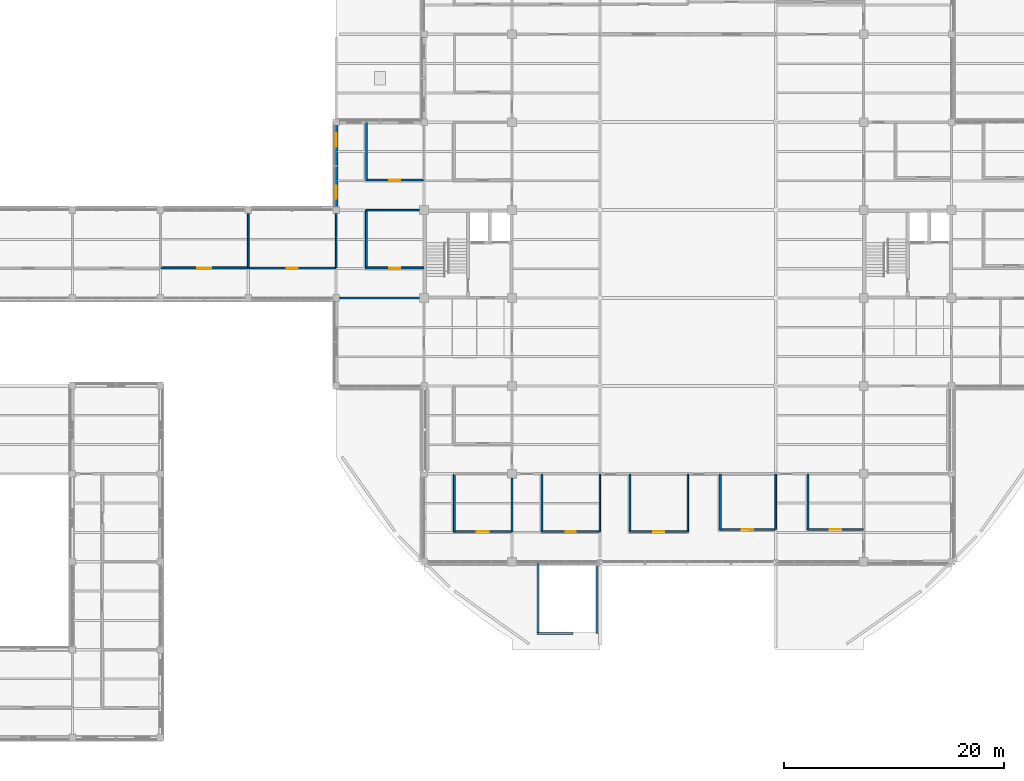
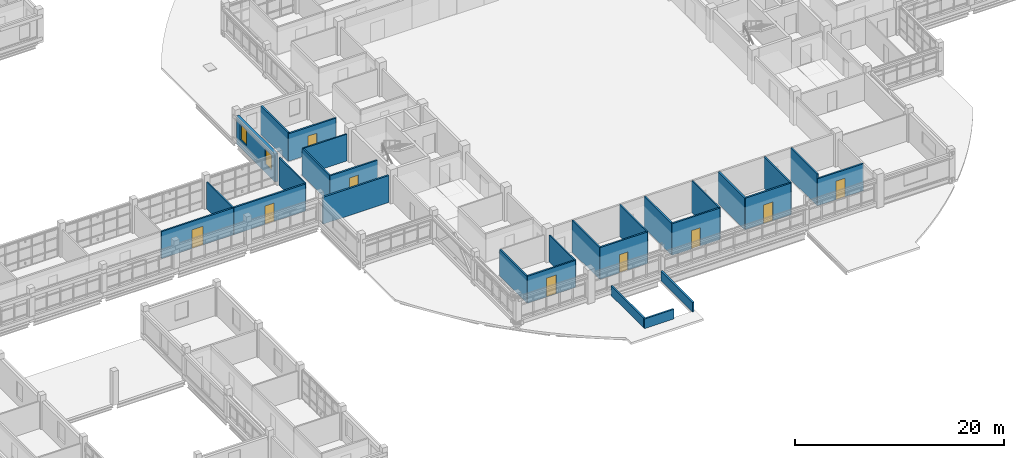
# One storey, part 90 of 126: 28 walls, 9 doors, 2 windows, 11 openings.
"""IFC4 building model written with IfcOpenShell, lengths in metres."""

from ifc_helpers import new_model, si_unit, derived_unit, direction, frame, frame_2d, origin, place, context, subcontext, project, spatial, rectangle, extrude, material, layer, layer_set, type_object, element, fill, save


model = new_model("IFC4")

# Units and contexts
model_context = context("Model", 3, precision=1e-05, world=origin(), true_north=direction((0.0, 1.0)))
body_context = subcontext(model_context, "Body", "Model", "MODEL_VIEW")
ifc_project = project(units=[si_unit("LENGTHUNIT", "METRE"), si_unit("AREAUNIT", "SQUARE_METRE"), si_unit("VOLUMEUNIT", "CUBIC_METRE"), si_unit("PLANEANGLEUNIT", "RADIAN"), si_unit("MASSUNIT", "GRAM", prefix="KILO"), derived_unit("THERMALTRANSMITTANCEUNIT", [(si_unit("MASSUNIT", "GRAM", prefix="KILO"), 1), (si_unit("TIMEUNIT", "SECOND"), -3), (si_unit("THERMODYNAMICTEMPERATUREUNIT", "KELVIN"), -1)])], contexts=[model_context])

# Site, building, storey
site_placement = place(None, origin())
site = spatial("IfcSite", under=ifc_project, at=site_placement, CompositionType="ELEMENT")
building_placement = place(site_placement, origin())
building = spatial("IfcBuilding", under=site, at=building_placement, Name="Veyamyaing Civic Hall", CompositionType="ELEMENT")
storey_placement = place(building_placement, frame((0.0, 0.0, 9.89990234375)))
storey = spatial("IfcBuildingStorey", under=building, at=storey_placement, Name="L02", CompositionType="ELEMENT", Elevation=9.89990234375)

# Wall, openings, windows
ifc_material_1 = material(Name="Precast concrete C40/50", Category="concrete")
ifc_layer_1 = layer(ifc_material_1, 0.304931640625, Name="Precast concrete C40/50")
ifc_layer_set_1 = layer_set([ifc_layer_1], Name="Precast concrete C40/50")
wall_type_1 = type_object("IfcWallType", Name="WT-03", PredefinedType="SOLIDWALL", material=ifc_layer_set_1)
wall_1_placement = place(storey_placement, frame((56.0, 56.284912109375, 0.0), z_axis=(0.0, 0.0, 1.0), x_axis=(0.0, 1.0, 0.0)))
wall_1 = element("IfcWall", 1, at=wall_1_placement, inside=storey, type_object=wall_type_1, Name="Exterior facade wall WT-03 L02 W 8.8", PredefinedType="SOLIDWALL", context=body_context, shape_type="SweptSolid", body=[
    extrude(rectangle(XDim=7.43017578125, YDim=0.304931640625, at=frame_2d((3.715087890625, 0.0))), origin(), (0.0, 0.0, 1.0), 3.280029296875),
])
opening_1_placement = place(wall_1_placement, frame((0.7373046875, 0.0, 0.949951171875)))
opening_1 = element("IfcOpeningElement", 2, at=opening_1_placement, cuts=wall_1, Name="Opening W-14", PredefinedType="OPENING", context=body_context, shape_type="SweptSolid", body=[
    extrude(rectangle(XDim=1.199951171875, YDim=1.800048828125, at=frame_2d((0.60009765625, 0.89990234375))), frame((0.0, 0.162353515625, 0.0), z_axis=(0.0, -1.0, 0.0), x_axis=(1.0, 0.0, 0.0)), (0.0, 0.0, 1.0), 0.324951171875),
])
opening_2_placement = place(wall_1_placement, frame((5.49267578125, 0.0, 0.949951171875)))
opening_2 = element("IfcOpeningElement", 3, at=opening_2_placement, cuts=wall_1, Name="Opening W-14", PredefinedType="OPENING", context=body_context, shape_type="SweptSolid", body=[
    extrude(rectangle(XDim=1.199951171875, YDim=1.800048828125, at=frame_2d((0.60009765625, 0.89990234375))), frame((0.0, 0.162353515625, 0.0), z_axis=(0.0, -1.0, 0.0), x_axis=(1.0, 0.0, 0.0)), (0.0, 0.0, 1.0), 0.324951171875),
])
ifc_material_2 = material(Name="Low-E insulated glass", Category="glass")
window_type = type_object("IfcWindowType", Name="W-14", PartitioningType="SINGLE_PANEL", PredefinedType="WINDOW", material=ifc_material_2)
window_1_placement = place(opening_1_placement, origin())
window_1 = element("IfcWindow", 4, at=window_1_placement, inside=storey, type_object=window_type, Name="Facade window W-14 L02 W 8.8.1", OverallHeight=1.800048828125, OverallWidth=1.199951171875, PartitioningType="SINGLE_PANEL", PredefinedType="WINDOW", context=body_context, shape_type="SweptSolid", body=[
    extrude(rectangle(XDim=1.199951171875, YDim=1.800048828125, at=frame_2d((0.60009765625, 0.89990234375))), frame((0.0, 0.030029296875, 0.0), z_axis=(0.0, -1.0, 0.0), x_axis=(1.0, 0.0, 0.0)), (0.0, 0.0, 1.0), 0.06005859375),
])
fill(opening_1, window_1)
window_2_placement = place(opening_2_placement, origin())
window_2 = element("IfcWindow", 5, at=window_2_placement, inside=storey, type_object=window_type, Name="Facade window W-14 L02 W 8.8.2", OverallHeight=1.800048828125, OverallWidth=1.199951171875, PartitioningType="SINGLE_PANEL", PredefinedType="WINDOW", context=body_context, shape_type="SweptSolid", body=[
    extrude(rectangle(XDim=1.199951171875, YDim=1.800048828125, at=frame_2d((0.60009765625, 0.89990234375))), frame((0.0, 0.030029296875, 0.0), z_axis=(0.0, -1.0, 0.0), x_axis=(1.0, 0.0, 0.0)), (0.0, 0.0, 1.0), 0.06005859375),
])
fill(opening_2, window_2)

# Wall
ifc_material_3 = material(Name="Concrete C40/50", Category="concrete")
ifc_layer_2 = layer(ifc_material_3, 0.199951171875, Name="Concrete C40/50")
ifc_layer_set_2 = layer_set([ifc_layer_2], Name="Concrete C40/50")
wall_type_2 = type_object("IfcWallType", Name="WT-06", PredefinedType="PARTITIONING", material=ifc_layer_set_2)
wall_2_placement = place(storey_placement, frame((56.2900390625, 48.0, 0.0), z_axis=(0.0, 0.0, 1.0), x_axis=(1.0, 0.0, 0.0)))
element("IfcWall", 6, at=wall_2_placement, inside=storey, type_object=wall_type_2, Name="Interior partition wall WT-06 L02.21", PredefinedType="PARTITIONING", context=body_context, shape_type="SweptSolid", body=[
    extrude(rectangle(XDim=7.320068359375, YDim=0.199951171875, at=frame_2d((3.66015625, 0.0))), origin(), (0.0, 0.0, 1.0), 3.156982421875),
])

# Wall, opening, door
ifc_material_4 = material(Name="Gypsum board on acoustic steel stud", Category="steel")
ifc_layer_3 = layer(ifc_material_4, 0.175048828125, Name="Gypsum board on acoustic steel stud")
ifc_layer_set_3 = layer_set([ifc_layer_3], Name="Gypsum board on acoustic steel stud")
wall_type_3 = type_object("IfcWallType", Name="WT-07", PredefinedType="PARTITIONING", material=ifc_layer_set_3)
wall_3_placement = place(storey_placement, frame((40.02001953125, 50.75, 0.0), z_axis=(0.0, 0.0, 1.0), x_axis=(1.0, 0.0, 0.0)))
wall_3 = element("IfcWall", 7, at=wall_3_placement, inside=storey, type_object=wall_type_3, Name="Corridor gallery partition WT-07 L02.25.1", PredefinedType="PARTITIONING", context=body_context, shape_type="SweptSolid", body=[
    extrude(rectangle(XDim=7.9599609375, YDim=0.175048828125, at=frame_2d((3.97998046875, 0.0))), origin(), (0.0, 0.0, 1.0), 3.156982421875),
])
opening_3_placement = place(wall_3_placement, frame((3.35498046875, 0.0, 0.0)))
opening_3 = element("IfcOpeningElement", 8, at=opening_3_placement, cuts=wall_3, Name="Opening D-29", PredefinedType="OPENING", context=body_context, shape_type="SweptSolid", body=[
    extrude(rectangle(XDim=1.25, YDim=2.179931640625, at=frame_2d((0.625, 1.08984375))), frame((0.0, 0.097412109375, 0.0), z_axis=(0.0, -1.0, 0.0), x_axis=(1.0, 0.0, 0.0)), (0.0, 0.0, 1.0), 0.195068359375),
])
ifc_material_5 = material(Name="Teak-veneered acoustic timber", Category="wood")
door_type_1 = type_object("IfcDoorType", Name="D-29", OperationType="NOTDEFINED", PredefinedType="DOOR", material=ifc_material_5)
door_1_placement = place(opening_3_placement, origin())
door_1 = element("IfcDoor", 9, at=door_1_placement, inside=storey, type_object=door_type_1, Name="Gallery office door D-29 L02.25", OperationType="SINGLE_SWING_LEFT", OverallHeight=2.179931640625, OverallWidth=1.25, PredefinedType="DOOR", context=body_context, shape_type="SweptSolid", body=[
    extrude(rectangle(XDim=1.25, YDim=2.179931640625, at=frame_2d((0.625, 1.08984375))), frame((0.0, 0.02490234375, 0.0), z_axis=(0.0, -1.0, 0.0), x_axis=(1.0, 0.0, 0.0)), (0.0, 0.0, 1.0), 0.050048828125),
])
fill(opening_3, door_1)

wall_4_placement = place(storey_placement, frame((58.699951171875, 50.75, 0.0), z_axis=(0.0, 0.0, 1.0), x_axis=(1.0, 0.0, 0.0)))
wall_4 = element("IfcWall", 10, at=wall_4_placement, inside=storey, type_object=wall_type_3, Name="Corridor gallery partition WT-07 L02.29.1", PredefinedType="PARTITIONING", context=body_context, shape_type="SweptSolid", body=[
    extrude(rectangle(XDim=5.280029296875, YDim=0.175048828125, at=frame_2d((2.64013671875, 0.0))), origin(), (0.0, 0.0, 1.0), 3.151123046875),
])
opening_4_placement = place(wall_4_placement, frame((2.14990234375, 0.0, 0.0)))
opening_4 = element("IfcOpeningElement", 11, at=opening_4_placement, cuts=wall_4, Name="Opening D-14", PredefinedType="OPENING", context=body_context, shape_type="SweptSolid", body=[
    extrude(rectangle(XDim=0.97998046875, YDim=2.14990234375, at=frame_2d((0.489990234375, 1.074951171875))), frame((0.0, 0.097412109375, 0.0), z_axis=(0.0, -1.0, 0.0), x_axis=(1.0, 0.0, 0.0)), (0.0, 0.0, 1.0), 0.195068359375),
])
door_type_2 = type_object("IfcDoorType", Name="D-14", OperationType="NOTDEFINED", PredefinedType="DOOR", material=ifc_material_5)
door_2_placement = place(opening_4_placement, origin())
door_2 = element("IfcDoor", 12, at=door_2_placement, inside=storey, type_object=door_type_2, Name="Gallery office door D-14 L02.29", OperationType="SINGLE_SWING_LEFT", OverallHeight=2.14990234375, OverallWidth=0.97998046875, PredefinedType="DOOR", context=body_context, shape_type="SweptSolid", body=[
    extrude(rectangle(XDim=0.97998046875, YDim=2.14990234375, at=frame_2d((0.489990234375, 1.074951171875))), frame((0.0, 0.02490234375, 0.0), z_axis=(0.0, -1.0, 0.0), x_axis=(1.0, 0.0, 0.0)), (0.0, 0.0, 1.0), 0.050048828125),
])
fill(opening_4, door_2)

# Wall
wall_5_placement = place(storey_placement, frame((58.75, 50.699951171875, 0.0), z_axis=(0.0, 0.0, 1.0), x_axis=(0.0, 1.0, 0.0)))
element("IfcWall", 13, at=wall_5_placement, inside=storey, type_object=wall_type_3, Name="Corridor gallery partition WT-07 L02.29.2", PredefinedType="PARTITIONING", context=body_context, shape_type="SweptSolid", body=[
    extrude(rectangle(XDim=5.280029296875, YDim=0.175048828125, at=frame_2d((2.64013671875, 0.0))), origin(), (0.0, 0.0, 1.0), 3.14111328125),
])

# Wall, opening, door
wall_6_placement = place(storey_placement, frame((66.699951171875, 26.75, 0.0), z_axis=(0.0, 0.0, 1.0), x_axis=(1.0, 0.0, 0.0)))
wall_6 = element("IfcWall", 14, at=wall_6_placement, inside=storey, type_object=wall_type_3, Name="Corridor gallery partition WT-07 L02.31.1", PredefinedType="PARTITIONING", context=body_context, shape_type="SweptSolid", body=[
    extrude(rectangle(XDim=5.280029296875, YDim=0.175048828125, at=frame_2d((2.64013671875, 0.0))), origin(), (0.0, 0.0, 1.0), 3.156982421875),
])
opening_5_placement = place(wall_6_placement, frame((2.10009765625, 0.0, 0.0)))
opening_5 = element("IfcOpeningElement", 15, at=opening_5_placement, cuts=wall_6, Name="Opening D-23", PredefinedType="OPENING", context=body_context, shape_type="SweptSolid", body=[
    extrude(rectangle(XDim=1.080078125, YDim=2.199951171875, at=frame_2d((0.5400390625, 1.10009765625))), frame((0.0, 0.097412109375, 0.0), z_axis=(0.0, -1.0, 0.0), x_axis=(1.0, 0.0, 0.0)), (0.0, 0.0, 1.0), 0.195068359375),
])
door_type_3 = type_object("IfcDoorType", Name="D-23", OperationType="NOTDEFINED", PredefinedType="DOOR", material=ifc_material_5)
door_3_placement = place(opening_5_placement, origin())
door_3 = element("IfcDoor", 16, at=door_3_placement, inside=storey, type_object=door_type_3, Name="Gallery office door D-23 L02.31", OperationType="SINGLE_SWING_LEFT", OverallHeight=2.199951171875, OverallWidth=1.080078125, PredefinedType="DOOR", context=body_context, shape_type="SweptSolid", body=[
    extrude(rectangle(XDim=1.080078125, YDim=2.199951171875, at=frame_2d((0.5400390625, 1.10009765625))), frame((0.0, 0.02490234375, 0.0), z_axis=(0.0, -1.0, 0.0), x_axis=(1.0, 0.0, 0.0)), (0.0, 0.0, 1.0), 0.050048828125),
])
fill(opening_5, door_3)

# Walls
wall_7_placement = place(storey_placement, frame((66.75, 26.699951171875, 0.0), z_axis=(0.0, 0.0, 1.0), x_axis=(0.0, 1.0, 0.0)))
element("IfcWall", 17, at=wall_7_placement, inside=storey, type_object=wall_type_3, Name="Corridor gallery partition WT-07 L02.31.2", PredefinedType="PARTITIONING", context=body_context, shape_type="SweptSolid", body=[
    extrude(rectangle(XDim=5.280029296875, YDim=0.175048828125, at=frame_2d((2.64013671875, 0.0))), origin(), (0.0, 0.0, 1.0), 3.08203125),
])
ifc_material_6 = material(Name="Gypsum board on steel stud", Category="steel")
ifc_layer_4 = layer(ifc_material_6, 0.14990234375, Name="Gypsum board on steel stud")
ifc_layer_set_4 = layer_set([ifc_layer_4], Name="Gypsum board on steel stud")
wall_type_4 = type_object("IfcWallType", Name="WT-08", PredefinedType="PARTITIONING", material=ifc_layer_set_4)
wall_8_placement = place(storey_placement, frame((48.0, 50.75, 0.0), z_axis=(0.0, 0.0, 1.0), x_axis=(0.0, 1.0, 0.0)))
element("IfcWall", 18, at=wall_8_placement, inside=storey, type_object=wall_type_4, Name="Gallery office end partition WT-08 L02.25.2", PredefinedType="PARTITIONING", context=body_context, shape_type="SweptSolid", body=[
    extrude(rectangle(XDim=4.93994140625, YDim=0.14990234375, at=frame_2d((2.469970703125, 0.0))), origin(), (0.0, 0.0, 1.0), 3.156982421875),
])
wall_9_placement = place(storey_placement, frame((56.0, 50.75, 0.0), z_axis=(0.0, 0.0, 1.0), x_axis=(0.0, 1.0, 0.0)))
element("IfcWall", 19, at=wall_9_placement, inside=storey, type_object=wall_type_4, Name="Gallery office end partition WT-08 L02.28.2", PredefinedType="PARTITIONING", context=body_context, shape_type="SweptSolid", body=[
    extrude(rectangle(XDim=4.93994140625, YDim=0.14990234375, at=frame_2d((2.469970703125, 0.0))), origin(), (0.0, 0.0, 1.0), 3.22705078125),
])
wall_10_placement = place(storey_placement, frame((58.75, 56.0, 0.0), z_axis=(0.0, 0.0, 1.0), x_axis=(1.0, 0.0, 0.0)))
element("IfcWall", 20, at=wall_10_placement, inside=storey, type_object=wall_type_4, Name="Gallery office end partition WT-08 L02.29.1", PredefinedType="PARTITIONING", context=body_context, shape_type="SweptSolid", body=[
    extrude(rectangle(XDim=4.840087890625, YDim=0.14990234375, at=frame_2d((2.419921875, 0.0))), origin(), (0.0, 0.0, 1.0), 3.14111328125),
])
wall_11_placement = place(storey_placement, frame((72.0, 26.75, 0.0), z_axis=(0.0, 0.0, 1.0), x_axis=(0.0, 1.0, 0.0)))
element("IfcWall", 21, at=wall_11_placement, inside=storey, type_object=wall_type_4, Name="Gallery office end partition WT-08 L02.31.2", PredefinedType="PARTITIONING", context=body_context, shape_type="SweptSolid", body=[
    extrude(rectangle(XDim=4.840087890625, YDim=0.14990234375, at=frame_2d((2.419921875, 0.0))), origin(), (0.0, 0.0, 1.0), 3.156982421875),
])
for number, where, z_axis, x_axis, name in (
    (22, (80.0, 26.75, 0.0), (0.0, 0.0, 1.0), (0.0, 1.0, 0.0), "Gallery office end partition WT-08 L02.36.2"),
    (23, (88.0, 26.75, 0.0), (0.0, 0.0, 1.0), (0.0, 1.0, 0.0), "Gallery office end partition WT-08 L02.38.2"),
):
    element("IfcWall", number, at=place(storey_placement, frame(where, z_axis=z_axis, x_axis=x_axis)), inside=storey, type_object=wall_type_4, Name=name, PredefinedType="PARTITIONING", context=body_context, shape_type="SweptSolid", body=[
        extrude(rectangle(XDim=5.22998046875, YDim=0.14990234375, at=frame_2d((2.614990234375, 0.0))), origin(), (0.0, 0.0, 1.0), 3.695068359375),
    ])
wall_12_placement = place(storey_placement, frame((96.0, 26.949951171875, 0.0), z_axis=(0.0, 0.0, 1.0), x_axis=(0.0, 1.0, 0.0)))
element("IfcWall", 24, at=wall_12_placement, inside=storey, type_object=wall_type_4, Name="Gallery office end partition WT-08 L02.40.2", PredefinedType="PARTITIONING", context=body_context, shape_type="SweptSolid", body=[
    extrude(rectangle(XDim=5.030029296875, YDim=0.14990234375, at=frame_2d((2.51513671875, 0.0))), origin(), (0.0, 0.0, 1.0), 3.695068359375),
])
ifc_layer_5 = layer(ifc_material_1, 0.195068359375, Name="Precast concrete C40/50")
ifc_layer_set_5 = layer_set([ifc_layer_5], Name="Precast concrete C40/50")
wall_type_5 = type_object("IfcWallType", Name="WT-12", PredefinedType="PARAPET", material=ifc_layer_set_5)
wall_13_placement = place(storey_placement, frame((74.260009765625, 17.47998046875, 0.0), z_axis=(0.0, 0.0, 1.0), x_axis=(1.0, 0.0, 0.0)))
element("IfcWall", 25, at=wall_13_placement, inside=storey, type_object=wall_type_5, Name="Roof opening curb parapet WT-12 ST-08.1", PredefinedType="PARAPET", context=body_context, shape_type="SweptSolid", body=[
    extrude(rectangle(XDim=3.300048828125, YDim=0.195068359375, at=frame_2d((1.64990234375, 0.0))), origin(), (0.0, 0.0, 1.0), 1.1201171875),
])
wall_14_placement = place(storey_placement, frame((74.360107421875, 17.580078125, 0.0), z_axis=(0.0, 0.0, 1.0), x_axis=(0.0, 1.0, 0.0)))
element("IfcWall", 26, at=wall_14_placement, inside=storey, type_object=wall_type_5, Name="Roof opening curb parapet WT-12 ST-08.2", PredefinedType="PARAPET", context=body_context, shape_type="SweptSolid", body=[
    extrude(rectangle(XDim=6.239990234375, YDim=0.195068359375, at=frame_2d((3.1201171875, 0.0))), origin(), (0.0, 0.0, 1.0), 1.1201171875),
])
wall_15_placement = place(storey_placement, frame((79.739990234375, 17.47998046875, 0.0), z_axis=(0.0, 0.0, 1.0), x_axis=(0.0, 1.0, 0.0)))
element("IfcWall", 27, at=wall_15_placement, inside=storey, type_object=wall_type_5, Name="Roof opening curb parapet WT-12 ST-08.3", PredefinedType="PARAPET", context=body_context, shape_type="SweptSolid", body=[
    extrude(rectangle(XDim=6.080078125, YDim=0.195068359375, at=frame_2d((3.0400390625, 0.0))), origin(), (0.0, 0.0, 1.0), 1.1201171875),
])

# Wall, opening, door
ifc_material_7 = material(Name="Gypsum board on double acoustic stud")
ifc_layer_6 = layer(ifc_material_7, 0.18505859375, Name="Gypsum board on double acoustic stud")
ifc_layer_set_6 = layer_set([ifc_layer_6], Name="Gypsum board on double acoustic stud")
wall_type_6 = type_object("IfcWallType", Name="WT-19", PredefinedType="PARTITIONING", material=ifc_layer_set_6)
wall_16_placement = place(storey_placement, frame((48.02001953125, 50.75, 0.0), z_axis=(0.0, 0.0, 1.0), x_axis=(1.0, 0.0, 0.0)))
wall_16 = element("IfcWall", 28, at=wall_16_placement, inside=storey, type_object=wall_type_6, Name="Corridor gallery partition WT-19 L02.28.1", PredefinedType="PARTITIONING", context=body_context, shape_type="SweptSolid", body=[
    extrude(rectangle(XDim=7.9599609375, YDim=0.18505859375, at=frame_2d((3.97998046875, 0.0))), origin(), (0.0, 0.0, 1.0), 3.156982421875),
])
opening_6_placement = place(wall_16_placement, frame((3.47998046875, 0.0, 0.0)))
opening_6 = element("IfcOpeningElement", 29, at=opening_6_placement, cuts=wall_16, Name="Opening D-13", PredefinedType="OPENING", context=body_context, shape_type="SweptSolid", body=[
    extrude(rectangle(XDim=1.0, YDim=2.14990234375, at=frame_2d((0.5, 1.074951171875))), frame((0.0, 0.1025390625, 0.0), z_axis=(0.0, -1.0, 0.0), x_axis=(1.0, 0.0, 0.0)), (0.0, 0.0, 1.0), 0.205078125),
])
door_type_4 = type_object("IfcDoorType", Name="D-13", OperationType="NOTDEFINED", PredefinedType="DOOR", material=ifc_material_5)
door_4_placement = place(opening_6_placement, origin())
door_4 = element("IfcDoor", 30, at=door_4_placement, inside=storey, type_object=door_type_4, Name="Gallery office door D-13 L02.28", OperationType="SINGLE_SWING_RIGHT", OverallHeight=2.14990234375, OverallWidth=1.0, PredefinedType="DOOR", context=body_context, shape_type="SweptSolid", body=[
    extrude(rectangle(XDim=1.0, YDim=2.14990234375, at=frame_2d((0.5, 1.074951171875))), frame((0.0, 0.02490234375, 0.0), z_axis=(0.0, -1.0, 0.0), x_axis=(1.0, 0.0, 0.0)), (0.0, 0.0, 1.0), 0.050048828125),
])
fill(opening_6, door_4)

wall_17_placement = place(storey_placement, frame((58.699951171875, 58.75, 0.0), z_axis=(0.0, 0.0, 1.0), x_axis=(1.0, 0.0, 0.0)))
wall_17 = element("IfcWall", 31, at=wall_17_placement, inside=storey, type_object=wall_type_6, Name="Corridor gallery partition WT-19 L02.30.1", PredefinedType="PARTITIONING", context=body_context, shape_type="SweptSolid", body=[
    extrude(rectangle(XDim=5.280029296875, YDim=0.18505859375, at=frame_2d((2.64013671875, 0.0))), origin(), (0.0, 0.0, 1.0), 3.22119140625),
])
opening_7_placement = place(wall_17_placement, frame((2.1298828125, 0.0, 0.0)))
opening_7 = element("IfcOpeningElement", 32, at=opening_7_placement, cuts=wall_17, Name="Opening D-19", PredefinedType="OPENING", context=body_context, shape_type="SweptSolid", body=[
    extrude(rectangle(XDim=1.02001953125, YDim=2.199951171875, at=frame_2d((0.510009765625, 1.10009765625))), frame((0.0, 0.1025390625, 0.0), z_axis=(0.0, -1.0, 0.0), x_axis=(1.0, 0.0, 0.0)), (0.0, 0.0, 1.0), 0.205078125),
])
door_type_5 = type_object("IfcDoorType", Name="D-19", OperationType="NOTDEFINED", PredefinedType="DOOR", material=ifc_material_5)
door_5_placement = place(opening_7_placement, origin())
door_5 = element("IfcDoor", 33, at=door_5_placement, inside=storey, type_object=door_type_5, Name="Gallery office door D-19 L02.30", OperationType="SINGLE_SWING_RIGHT", OverallHeight=2.199951171875, OverallWidth=1.02001953125, PredefinedType="DOOR", context=body_context, shape_type="SweptSolid", body=[
    extrude(rectangle(XDim=1.02001953125, YDim=2.199951171875, at=frame_2d((0.510009765625, 1.10009765625))), frame((0.0, 0.02490234375, 0.0), z_axis=(0.0, -1.0, 0.0), x_axis=(1.0, 0.0, 0.0)), (0.0, 0.0, 1.0), 0.050048828125),
])
fill(opening_7, door_5)

# Wall
wall_18_placement = place(storey_placement, frame((58.75, 58.699951171875, 0.0), z_axis=(0.0, 0.0, 1.0), x_axis=(0.0, 1.0, 0.0)))
element("IfcWall", 34, at=wall_18_placement, inside=storey, type_object=wall_type_6, Name="Corridor gallery partition WT-19 L02.30.2", PredefinedType="PARTITIONING", context=body_context, shape_type="SweptSolid", body=[
    extrude(rectangle(XDim=5.280029296875, YDim=0.18505859375, at=frame_2d((2.64013671875, 0.0))), origin(), (0.0, 0.0, 1.0), 3.337158203125),
])

# Wall, opening, door
wall_19_placement = place(storey_placement, frame((74.699951171875, 26.75, 0.0), z_axis=(0.0, 0.0, 1.0), x_axis=(1.0, 0.0, 0.0)))
wall_19 = element("IfcWall", 35, at=wall_19_placement, inside=storey, type_object=wall_type_6, Name="Corridor gallery partition WT-19 L02.36.1", PredefinedType="PARTITIONING", context=body_context, shape_type="SweptSolid", body=[
    extrude(rectangle(XDim=5.280029296875, YDim=0.18505859375, at=frame_2d((2.64013671875, 0.0))), origin(), (0.0, 0.0, 1.0), 3.695068359375),
])
opening_8_placement = place(wall_19_placement, frame((2.169921875, 0.0, 0.0)))
opening_8 = element("IfcOpeningElement", 36, at=opening_8_placement, cuts=wall_19, Name="Opening D-30", PredefinedType="OPENING", context=body_context, shape_type="SweptSolid", body=[
    extrude(rectangle(XDim=0.93994140625, YDim=2.1201171875, at=frame_2d((0.469970703125, 1.06005859375))), frame((0.0, 0.1025390625, 0.0), z_axis=(0.0, -1.0, 0.0), x_axis=(1.0, 0.0, 0.0)), (0.0, 0.0, 1.0), 0.205078125),
])
door_type_6 = type_object("IfcDoorType", Name="D-30", OperationType="NOTDEFINED", PredefinedType="DOOR", material=ifc_material_5)
door_6_placement = place(opening_8_placement, origin())
door_6 = element("IfcDoor", 37, at=door_6_placement, inside=storey, type_object=door_type_6, Name="Gallery office door D-30 L02.36", OperationType="SINGLE_SWING_RIGHT", OverallHeight=2.1201171875, OverallWidth=0.93994140625, PredefinedType="DOOR", context=body_context, shape_type="SweptSolid", body=[
    extrude(rectangle(XDim=0.93994140625, YDim=2.1201171875, at=frame_2d((0.469970703125, 1.06005859375))), frame((0.0, 0.02490234375, 0.0), z_axis=(0.0, -1.0, 0.0), x_axis=(1.0, 0.0, 0.0)), (0.0, 0.0, 1.0), 0.050048828125),
])
fill(opening_8, door_6)

# Wall
wall_20_placement = place(storey_placement, frame((74.75, 26.699951171875, 0.0), z_axis=(0.0, 0.0, 1.0), x_axis=(0.0, 1.0, 0.0)))
element("IfcWall", 38, at=wall_20_placement, inside=storey, type_object=wall_type_6, Name="Corridor gallery partition WT-19 L02.36.2", PredefinedType="PARTITIONING", context=body_context, shape_type="SweptSolid", body=[
    extrude(rectangle(XDim=5.280029296875, YDim=0.18505859375, at=frame_2d((2.64013671875, 0.0))), origin(), (0.0, 0.0, 1.0), 3.695068359375),
])

# Wall, opening, door
wall_21_placement = place(storey_placement, frame((82.699951171875, 26.75, 0.0), z_axis=(0.0, 0.0, 1.0), x_axis=(1.0, 0.0, 0.0)))
wall_21 = element("IfcWall", 39, at=wall_21_placement, inside=storey, type_object=wall_type_6, Name="Corridor gallery partition WT-19 L02.38.1", PredefinedType="PARTITIONING", context=body_context, shape_type="SweptSolid", body=[
    extrude(rectangle(XDim=5.280029296875, YDim=0.18505859375, at=frame_2d((2.64013671875, 0.0))), origin(), (0.0, 0.0, 1.0), 3.695068359375),
])
opening_9_placement = place(wall_21_placement, frame((2.139892578125, 0.0, 0.0)))
opening_9 = element("IfcOpeningElement", 40, at=opening_9_placement, cuts=wall_21, Name="Opening D-13", PredefinedType="OPENING", context=body_context, shape_type="SweptSolid", body=[
    extrude(rectangle(XDim=1.0, YDim=2.14990234375, at=frame_2d((0.5, 1.074951171875))), frame((0.0, 0.1025390625, 0.0), z_axis=(0.0, -1.0, 0.0), x_axis=(1.0, 0.0, 0.0)), (0.0, 0.0, 1.0), 0.205078125),
])
door_7_placement = place(opening_9_placement, origin())
door_7 = element("IfcDoor", 41, at=door_7_placement, inside=storey, type_object=door_type_4, Name="Gallery office door D-13 L02.38", OperationType="SINGLE_SWING_RIGHT", OverallHeight=2.14990234375, OverallWidth=1.0, PredefinedType="DOOR", context=body_context, shape_type="SweptSolid", body=[
    extrude(rectangle(XDim=1.0, YDim=2.14990234375, at=frame_2d((0.5, 1.074951171875))), frame((0.0, 0.02490234375, 0.0), z_axis=(0.0, -1.0, 0.0), x_axis=(1.0, 0.0, 0.0)), (0.0, 0.0, 1.0), 0.050048828125),
])
fill(opening_9, door_7)

# Wall
wall_22_placement = place(storey_placement, frame((82.75, 26.699951171875, 0.0), z_axis=(0.0, 0.0, 1.0), x_axis=(0.0, 1.0, 0.0)))
element("IfcWall", 42, at=wall_22_placement, inside=storey, type_object=wall_type_6, Name="Corridor gallery partition WT-19 L02.38.2", PredefinedType="PARTITIONING", context=body_context, shape_type="SweptSolid", body=[
    extrude(rectangle(XDim=5.280029296875, YDim=0.18505859375, at=frame_2d((2.64013671875, 0.0))), origin(), (0.0, 0.0, 1.0), 3.695068359375),
])

# Wall, opening, door
wall_23_placement = place(storey_placement, frame((90.89990234375, 26.949951171875, 0.0), z_axis=(0.0, 0.0, 1.0), x_axis=(1.0, 0.0, 0.0)))
wall_23 = element("IfcWall", 43, at=wall_23_placement, inside=storey, type_object=wall_type_6, Name="Corridor gallery partition WT-19 L02.40.1", PredefinedType="PARTITIONING", context=body_context, shape_type="SweptSolid", body=[
    extrude(rectangle(XDim=5.080078125, YDim=0.18505859375, at=frame_2d((2.5400390625, 0.0))), origin(), (0.0, 0.0, 1.0), 3.695068359375),
])
opening_10_placement = place(wall_23_placement, frame((2.030029296875, 0.0, 0.0)))
opening_10 = element("IfcOpeningElement", 44, at=opening_10_placement, cuts=wall_23, Name="Opening D-19", PredefinedType="OPENING", context=body_context, shape_type="SweptSolid", body=[
    extrude(rectangle(XDim=1.02001953125, YDim=2.199951171875, at=frame_2d((0.510009765625, 1.10009765625))), frame((0.0, 0.1025390625, 0.0), z_axis=(0.0, -1.0, 0.0), x_axis=(1.0, 0.0, 0.0)), (0.0, 0.0, 1.0), 0.205078125),
])
door_8_placement = place(opening_10_placement, origin())
door_8 = element("IfcDoor", 45, at=door_8_placement, inside=storey, type_object=door_type_5, Name="Gallery office door D-19 L02.40", OperationType="SINGLE_SWING_RIGHT", OverallHeight=2.199951171875, OverallWidth=1.02001953125, PredefinedType="DOOR", context=body_context, shape_type="SweptSolid", body=[
    extrude(rectangle(XDim=1.02001953125, YDim=2.199951171875, at=frame_2d((0.510009765625, 1.10009765625))), frame((0.0, 0.02490234375, 0.0), z_axis=(0.0, -1.0, 0.0), x_axis=(1.0, 0.0, 0.0)), (0.0, 0.0, 1.0), 0.050048828125),
])
fill(opening_10, door_8)

# Wall
wall_24_placement = place(storey_placement, frame((90.949951171875, 26.89990234375, 0.0), z_axis=(0.0, 0.0, 1.0), x_axis=(0.0, 1.0, 0.0)))
element("IfcWall", 46, at=wall_24_placement, inside=storey, type_object=wall_type_6, Name="Corridor gallery partition WT-19 L02.40.2", PredefinedType="PARTITIONING", context=body_context, shape_type="SweptSolid", body=[
    extrude(rectangle(XDim=5.080078125, YDim=0.18505859375, at=frame_2d((2.5400390625, 0.0))), origin(), (0.0, 0.0, 1.0), 3.695068359375),
])

# Wall, opening, door
wall_25_placement = place(storey_placement, frame((98.89990234375, 26.949951171875, 0.0), z_axis=(0.0, 0.0, 1.0), x_axis=(1.0, 0.0, 0.0)))
wall_25 = element("IfcWall", 47, at=wall_25_placement, inside=storey, type_object=wall_type_6, Name="Corridor gallery partition WT-19 L02.42.1", PredefinedType="PARTITIONING", context=body_context, shape_type="SweptSolid", body=[
    extrude(rectangle(XDim=5.080078125, YDim=0.18505859375, at=frame_2d((2.5400390625, 0.0))), origin(), (0.0, 0.0, 1.0), 3.156982421875),
])
opening_11_placement = place(wall_25_placement, frame((2.02001953125, 0.0, 0.0)))
opening_11 = element("IfcOpeningElement", 48, at=opening_11_placement, cuts=wall_25, Name="Opening D-24", PredefinedType="OPENING", context=body_context, shape_type="SweptSolid", body=[
    extrude(rectangle(XDim=1.0400390625, YDim=2.179931640625, at=frame_2d((0.52001953125, 1.08984375))), frame((0.0, 0.1025390625, 0.0), z_axis=(0.0, -1.0, 0.0), x_axis=(1.0, 0.0, 0.0)), (0.0, 0.0, 1.0), 0.205078125),
])
door_type_7 = type_object("IfcDoorType", Name="D-24", OperationType="NOTDEFINED", PredefinedType="DOOR", material=ifc_material_5)
door_9_placement = place(opening_11_placement, origin())
door_9 = element("IfcDoor", 49, at=door_9_placement, inside=storey, type_object=door_type_7, Name="Gallery office door D-24 L02.42", OperationType="SINGLE_SWING_RIGHT", OverallHeight=2.179931640625, OverallWidth=1.0400390625, PredefinedType="DOOR", context=body_context, shape_type="SweptSolid", body=[
    extrude(rectangle(XDim=1.0400390625, YDim=2.179931640625, at=frame_2d((0.52001953125, 1.08984375))), frame((0.0, 0.02490234375, 0.0), z_axis=(0.0, -1.0, 0.0), x_axis=(1.0, 0.0, 0.0)), (0.0, 0.0, 1.0), 0.050048828125),
])
fill(opening_11, door_9)

# Wall
wall_26_placement = place(storey_placement, frame((98.949951171875, 26.89990234375, 0.0), z_axis=(0.0, 0.0, 1.0), x_axis=(0.0, 1.0, 0.0)))
element("IfcWall", 50, at=wall_26_placement, inside=storey, type_object=wall_type_6, Name="Corridor gallery partition WT-19 L02.42.2", PredefinedType="PARTITIONING", context=body_context, shape_type="SweptSolid", body=[
    extrude(rectangle(XDim=5.080078125, YDim=0.18505859375, at=frame_2d((2.5400390625, 0.0))), origin(), (0.0, 0.0, 1.0), 3.695068359375),
])

save(model, "model.ifc")
